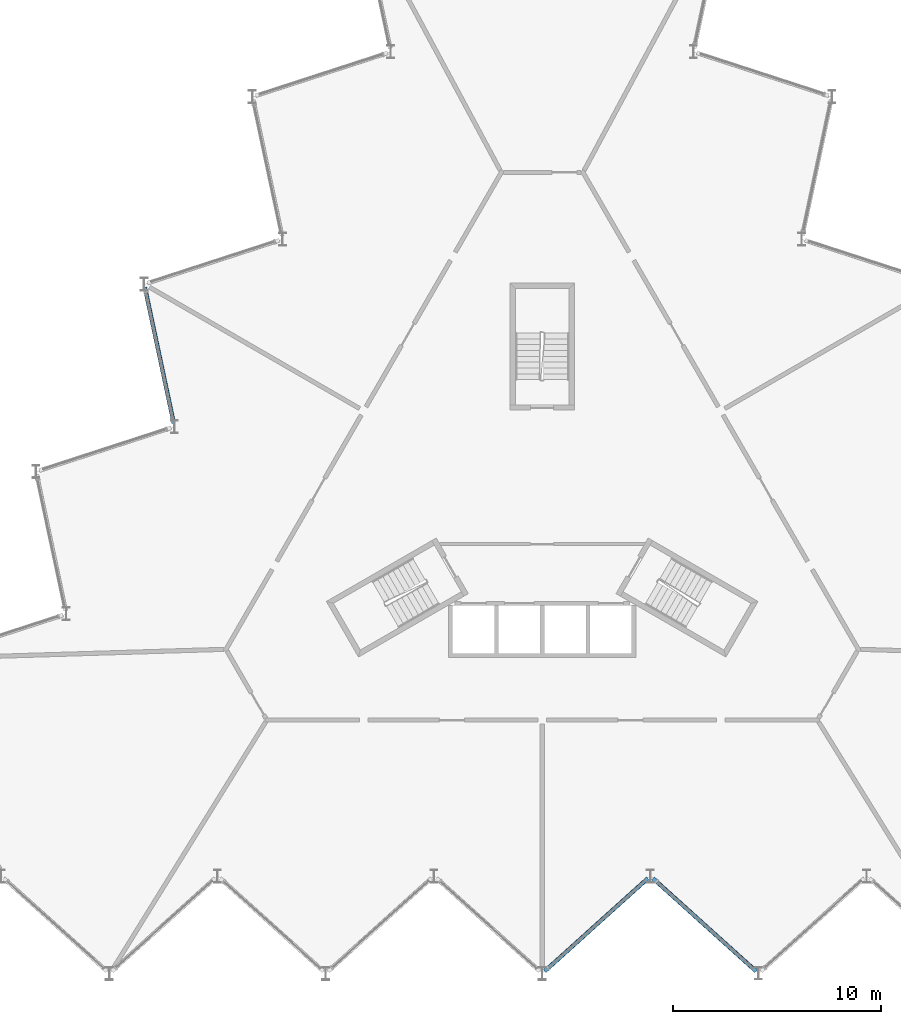
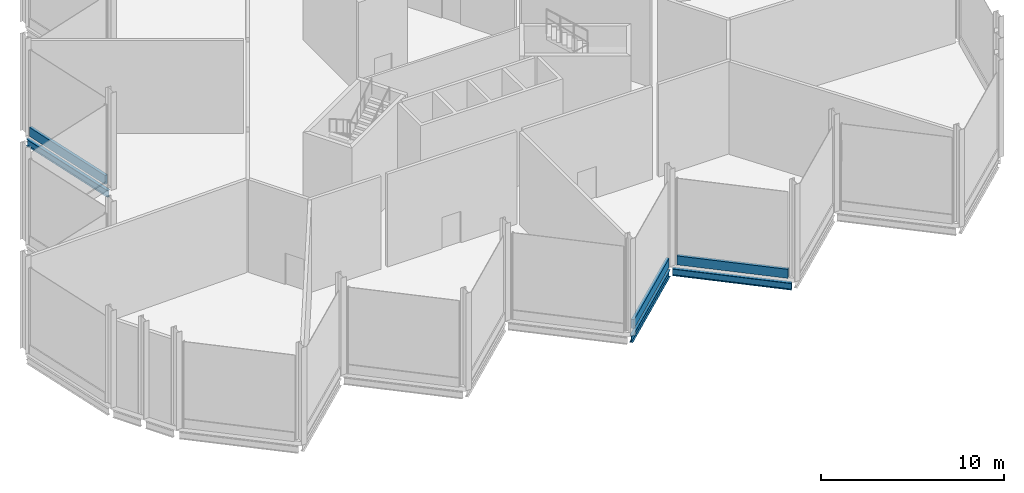
# One storey, part 5 of 12: 3 beams, 3 members, 3 elements without a shape of their own.
"""IFC4 building model written with IfcOpenShell, lengths in metres."""

from ifc_helpers import new_model, si_unit, direction, frame, origin, origin_2d, place, context, subcontext, project, spatial, rectangle, i_section, extrude, material, layer, layer_set, material_profile, profile_set, type_object, element, aggregate, save


model = new_model("IFC4")

# Units and contexts
model_context = context("Model", 3, precision=1e-05, world=origin(), true_north=direction((0.0, 1.0)))
body_context = subcontext(model_context, "Body", "Model", "MODEL_VIEW")
ifc_project = project(units=[si_unit("LENGTHUNIT", "METRE"), si_unit("AREAUNIT", "SQUARE_METRE"), si_unit("VOLUMEUNIT", "CUBIC_METRE"), si_unit("PLANEANGLEUNIT", "RADIAN"), si_unit("MASSUNIT", "GRAM", prefix="KILO")], contexts=[model_context])

# Site, building, storey
site_placement = place(None, origin())
site = spatial("IfcSite", under=ifc_project, at=site_placement, CompositionType="ELEMENT")
building_placement = place(site_placement, origin())
building = spatial("IfcBuilding", under=site, at=building_placement, Name="Cormorant Prow Tower", CompositionType="ELEMENT")
storey_placement = place(building_placement, frame((0.0, 0.0, 415.199951171875)))
storey = spatial("IfcBuildingStorey", under=building, at=storey_placement, Name="L94", CompositionType="ELEMENT", Elevation=415.199951171875)

# Beams
ifc_material_1 = material(Name="Structural steel ASTM A992 Gr 50", Category="steel")
ifc_material_profile_1 = material_profile(ifc_material_1, i_section(OverallWidth=0.19287109375, OverallDepth=0.466064453125, WebThickness=0.011474609375, FlangeThickness=0.01904296875, at=origin_2d()), Name="W18x65")
ifc_profile_set_1 = profile_set([ifc_material_profile_1], Name="Structural steel ASTM A992 Gr 50")
beam_type = type_object("IfcBeamType", Name="Crown ring beam W18x65", PredefinedType="SPANDREL", material=ifc_profile_set_1)
for number, where, z_axis, x_axis, name in (
    (1, (0.121337890625, -21.978515625, -0.532958984375), (0.743139440672, 0.669136586743, 0.0), (-0.669136586743, 0.743139440672, 0.0), "Crown ring beam SB5 S05-S06 L94"),
    (2, (5.3212890625, -17.514892578125, -0.532958984375), (0.743139440672, -0.669136586743, 0.0), (0.669136586743, 0.743139440672, 0.0), "Crown ring beam SB5 S06-S07 L94"),
):
    element("IfcBeam", number, at=place(storey_placement, frame(where, z_axis=z_axis, x_axis=x_axis)), inside=storey, type_object=beam_type, Name=name, PredefinedType="SPANDREL", context=body_context, shape_type="SweptSolid", body=[
        extrude(i_section(OverallWidth=0.19287109375, OverallDepth=0.466064453125, WebThickness=0.011474609375, FlangeThickness=0.01904296875, at=origin_2d()), origin(), (0.0, 0.0, 1.0), 6.670654296875),
    ])
beam_placement = place(storey_placement, frame((-19.0947265625, 10.88427734375, -0.532958984375), z_axis=(0.207911717999, -0.978147594956, 0.0), x_axis=(0.978147594956, 0.207911717999, 0.0)))
element("IfcBeam", 3, at=beam_placement, inside=storey, type_object=beam_type, Name="Crown ring beam SB5 WNW05-WNW06 L94", PredefinedType="SPANDREL", context=body_context, shape_type="SweptSolid", body=[
    extrude(i_section(OverallWidth=0.19287109375, OverallDepth=0.466064453125, WebThickness=0.011474609375, FlangeThickness=0.01904296875, at=origin_2d()), origin(), (0.0, 0.0, 1.0), 6.6708984375),
])

# Curtain wall, member
ifc_material_2 = material(Name="Aluminium 6063-T6", Category="aluminium")
ifc_layer = layer(ifc_material_2, 0.219970703125)
ifc_layer_set = layer_set([ifc_layer], Name="Aluminium 6063-T6")
curtain_wall_type = type_object("IfcCurtainWallType", Name="Crown unitised curtain wall 220", PredefinedType="NOTDEFINED", material=ifc_layer_set)
curtain_wall_1_placement = place(storey_placement, origin())
curtain_wall_1 = element("IfcCurtainWall", 4, at=curtain_wall_1_placement, inside=storey, type_object=curtain_wall_type, Name="Crown curtain wall crown S05", PredefinedType="NOTDEFINED")
ifc_material_3 = material(Name="Terracotta", Category="masonry")
ifc_material_profile_2 = material_profile(ifc_material_3, rectangle(XDim=0.179931640625, YDim=0.60009765625, at=origin_2d()), Name="Crown terracotta spandrel rail 180x600")
ifc_profile_set_2 = profile_set([ifc_material_profile_2], Name="Terracotta")
member_type = type_object("IfcMemberType", Name="Crown terracotta spandrel rail 180x600", PredefinedType="USERDEFINED", material=ifc_profile_set_2)
member_1_placement = place(storey_placement, frame((0.316650390625, -21.802734375, 0.300048828125), z_axis=(0.743141530577, 0.669134265699, 0.0), x_axis=(-0.669134265699, 0.743141530577, 0.0)))
member_1 = element("IfcMember", 5, at=member_1_placement, type_object=member_type, Name="Crown spandrel rail crown S05", ObjectType="TRANSOM", PredefinedType="USERDEFINED", context=body_context, shape_type="SweptSolid", body=[
    extrude(rectangle(XDim=0.179931640625, YDim=0.60009765625, at=origin_2d()), origin(), (0.0, 0.0, 1.0), 6.205078125),
])
aggregate(curtain_wall_1, [member_1])

curtain_wall_2_placement = place(storey_placement, origin())
curtain_wall_2 = element("IfcCurtainWall", 6, at=curtain_wall_2_placement, inside=storey, type_object=curtain_wall_type, Name="Crown curtain wall crown S06", PredefinedType="NOTDEFINED")
member_2_placement = place(storey_placement, frame((5.5166015625, -17.690673828125, 0.300048828125), z_axis=(0.743121966202, -0.669155993285, 0.0), x_axis=(0.669155993285, 0.743121966202, 0.0)))
member_2 = element("IfcMember", 7, at=member_2_placement, type_object=member_type, Name="Crown spandrel rail crown S06", ObjectType="TRANSOM", PredefinedType="USERDEFINED", context=body_context, shape_type="SweptSolid", body=[
    extrude(rectangle(XDim=0.179931640625, YDim=0.60009765625, at=origin_2d()), origin(), (0.0, 0.0, 1.0), 6.205322265625),
])
aggregate(curtain_wall_2, [member_2])

curtain_wall_3_placement = place(storey_placement, origin())
curtain_wall_3 = element("IfcCurtainWall", 8, at=curtain_wall_3_placement, inside=storey, type_object=curtain_wall_type, Name="Crown curtain wall crown WNW05", PredefinedType="NOTDEFINED")
member_3_placement = place(storey_placement, frame((-19.0400390625, 10.627197265625, 0.300048828125), z_axis=(0.207897812215, -0.978150550619, 0.0), x_axis=(0.978150550619, 0.207897812215, 0.0)))
member_3 = element("IfcMember", 9, at=member_3_placement, type_object=member_type, Name="Crown spandrel rail crown WNW05", ObjectType="TRANSOM", PredefinedType="USERDEFINED", context=body_context, shape_type="SweptSolid", body=[
    extrude(rectangle(XDim=0.179931640625, YDim=0.60009765625, at=origin_2d()), origin(), (0.0, 0.0, 1.0), 6.205078125),
])
aggregate(curtain_wall_3, [member_3])

save(model, "model.ifc")
